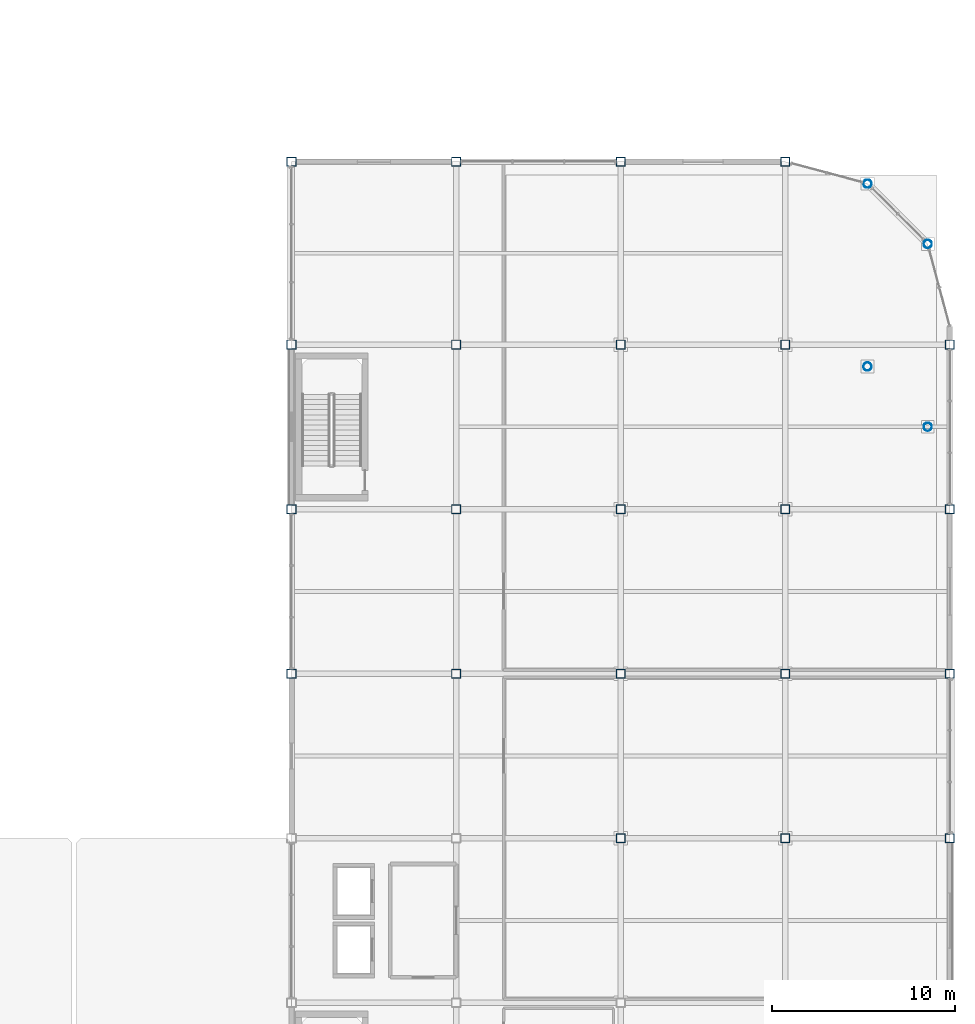
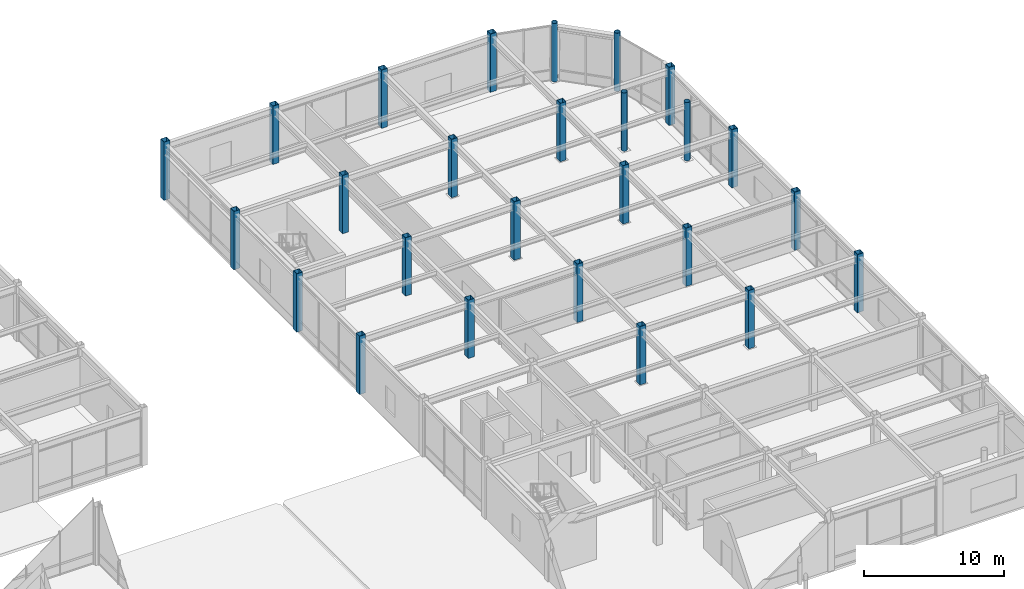
# One storey, part 26 of 123: 26 columns.
"""IFC4 building model written with IfcOpenShell, lengths in metres."""

from ifc_helpers import new_model, si_unit, direction, frame, origin, origin_2d, place, context, subcontext, project, spatial, hollow_rectangle, hollow_circle, extrude, material, material_profile, profile_set, type_object, element, save


model = new_model("IFC4")

# Units and contexts
model_context = context("Model", 3, precision=1e-05, world=origin(), true_north=direction((0.0, 1.0)))
body_context = subcontext(model_context, "Body", "Model", "MODEL_VIEW")
ifc_project = project(units=[si_unit("LENGTHUNIT", "METRE"), si_unit("AREAUNIT", "SQUARE_METRE"), si_unit("VOLUMEUNIT", "CUBIC_METRE"), si_unit("PLANEANGLEUNIT", "RADIAN"), si_unit("MASSUNIT", "GRAM", prefix="KILO")], contexts=[model_context])

# Site, building, storey
site_placement = place(None, origin())
site = spatial("IfcSite", under=ifc_project, at=site_placement, CompositionType="ELEMENT")
building_placement = place(site_placement, origin())
building = spatial("IfcBuilding", under=site, at=building_placement, Name="Suzunagisa Mobility Hub", CompositionType="ELEMENT")
storey_placement = place(building_placement, origin())
storey = spatial("IfcBuildingStorey", under=building, at=storey_placement, Name="L00", CompositionType="ELEMENT", Elevation=0.0)

# Columns
ifc_material = material(Name="Steel SN490B", Category="steel")
ifc_material_profile_1 = material_profile(ifc_material, hollow_circle(Radius=0.228515625, WallThickness=0.01611328125, at=origin_2d()), Name="CHS-457.2x16.0")
ifc_profile_set_1 = profile_set([ifc_material_profile_1], Name="Steel SN490B")
column_type_1 = type_object("IfcColumnType", Name="Steel Column CL-08 CHS-457.2x16.0", PredefinedType="COLUMN", material=ifc_profile_set_1)
for number, where, z_axis, x_axis, name in (
    (1, (175.5, 96.794189453125, 0.0), (0.0, 0.0, 1.0), (1.0, 0.0, 0.0), "L00 Column 313"),
    (2, (175.5, 106.794189453125, 0.0), (0.0, 0.0, 1.0), (1.0, 0.0, 0.0), "L00 Column 314"),
    (3, (178.794189453125, 93.5, 0.0), (0.0, 0.0, 1.0), (1.0, 0.0, 0.0), "L00 Column 319"),
    (4, (178.794189453125, 103.5, 0.0), (0.0, 0.0, 1.0), (1.0, 0.0, 0.0), "L00 Column 320"),
):
    element("IfcColumn", number, at=place(storey_placement, frame(where, z_axis=z_axis, x_axis=x_axis)), inside=storey, type_object=column_type_1, Name=name, PredefinedType="COLUMN", context=body_context, shape_type="SweptSolid", body=[
        extrude(hollow_circle(Radius=0.228515625, WallThickness=0.01611328125, at=origin_2d()), origin(), (0.0, 0.0, 1.0), 5.10009765625),
    ])
ifc_material_profile_2 = material_profile(ifc_material, hollow_rectangle(XDim=0.5, YDim=0.5, WallThickness=0.02490234375, at=origin_2d()), Name="BCR-500x500x25")
ifc_profile_set_2 = profile_set([ifc_material_profile_2], Name="Steel SN490B")
column_type_2 = type_object("IfcColumnType", Name="Steel Column CL-11 BCR-500x500x25", PredefinedType="COLUMN", material=ifc_profile_set_2)
for number, where, z_axis, x_axis, name in (
    (5, (144.0, 80.0, 0.0), (0.0, 0.0, 1.0), (1.0, 0.0, 0.0), "L00 Column 260"),
    (6, (144.0, 89.0, 0.0), (0.0, 0.0, 1.0), (1.0, 0.0, 0.0), "L00 Column 261"),
    (7, (144.0, 98.0, 0.0), (0.0, 0.0, 1.0), (1.0, 0.0, 0.0), "L00 Column 262"),
    (8, (144.0, 108.0, 0.0), (0.0, 0.0, 1.0), (1.0, 0.0, 0.0), "L00 Column 263"),
    (9, (153.0, 80.0, 0.0), (0.0, 0.0, 1.0), (1.0, 0.0, 0.0), "L00 Column 273"),
    (10, (153.0, 89.0, 0.0), (0.0, 0.0, 1.0), (1.0, 0.0, 0.0), "L00 Column 274"),
    (11, (153.0, 98.0, 0.0), (0.0, 0.0, 1.0), (1.0, 0.0, 0.0), "L00 Column 275"),
    (12, (153.0, 108.0, 0.0), (0.0, 0.0, 1.0), (1.0, 0.0, 0.0), "L00 Column 276"),
    (13, (162.0, 71.0, 0.0), (0.0, 0.0, 1.0), (1.0, 0.0, 0.0), "L00 Column 291"),
    (14, (162.0, 80.0, 0.0), (0.0, 0.0, 1.0), (1.0, 0.0, 0.0), "L00 Column 292"),
    (15, (162.0, 89.0, 0.0), (0.0, 0.0, 1.0), (1.0, 0.0, 0.0), "L00 Column 293"),
    (16, (162.0, 98.0, 0.0), (0.0, 0.0, 1.0), (1.0, 0.0, 0.0), "L00 Column 294"),
    (17, (162.0, 108.0, 0.0), (0.0, 0.0, 1.0), (1.0, 0.0, 0.0), "L00 Column 295"),
    (18, (171.0, 71.0, 0.0), (0.0, 0.0, 1.0), (1.0, 0.0, 0.0), "L00 Column 304"),
    (19, (171.0, 80.0, 0.0), (0.0, 0.0, 1.0), (1.0, 0.0, 0.0), "L00 Column 305"),
    (20, (171.0, 89.0, 0.0), (0.0, 0.0, 1.0), (1.0, 0.0, 0.0), "L00 Column 306"),
    (21, (171.0, 98.0, 0.0), (0.0, 0.0, 1.0), (1.0, 0.0, 0.0), "L00 Column 307"),
    (22, (171.0, 108.0, 0.0), (0.0, 0.0, 1.0), (1.0, 0.0, 0.0), "L00 Column 308"),
    (23, (180.0, 71.0, 0.0), (0.0, 0.0, 1.0), (1.0, 0.0, 0.0), "L00 Column 328"),
    (24, (180.0, 80.0, 0.0), (0.0, 0.0, 1.0), (1.0, 0.0, 0.0), "L00 Column 329"),
    (25, (180.0, 89.0, 0.0), (0.0, 0.0, 1.0), (1.0, 0.0, 0.0), "L00 Column 330"),
    (26, (180.0, 98.0, 0.0), (0.0, 0.0, 1.0), (1.0, 0.0, 0.0), "L00 Column 331"),
):
    element("IfcColumn", number, at=place(storey_placement, frame(where, z_axis=z_axis, x_axis=x_axis)), inside=storey, type_object=column_type_2, Name=name, PredefinedType="COLUMN", context=body_context, shape_type="SweptSolid", body=[
        extrude(hollow_rectangle(XDim=0.5, YDim=0.5, WallThickness=0.02490234375, at=origin_2d()), origin(), (0.0, 0.0, 1.0), 5.10009765625),
    ])

save(model, "model.ifc")
